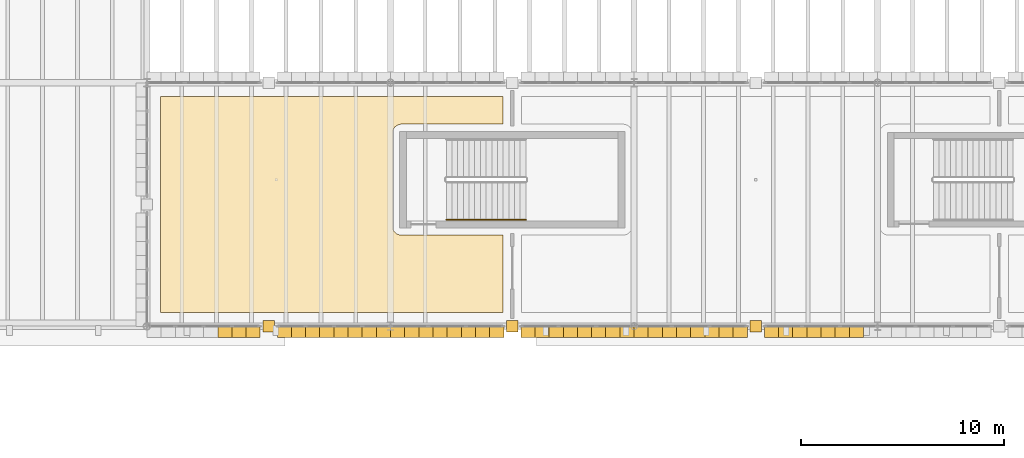
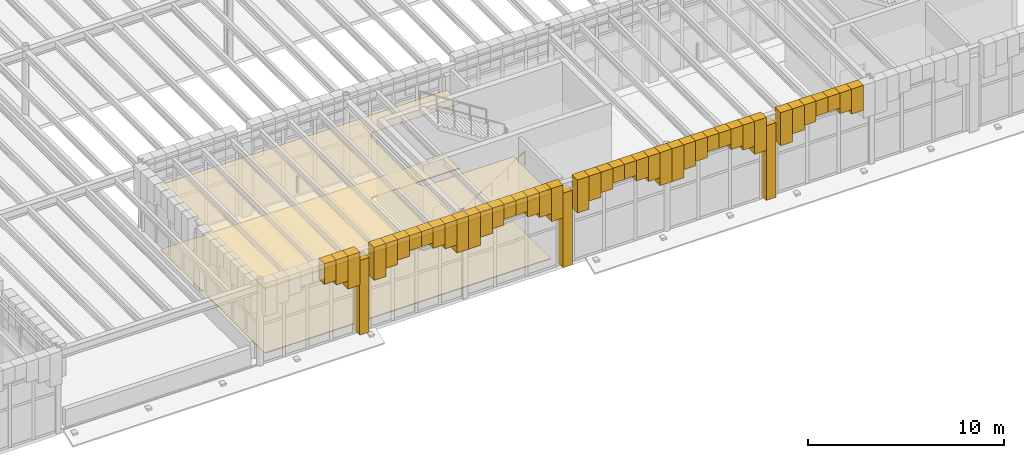
# One storey, part 83 of 100: 47 coverings, 1 railing.
"""IFC4 building model written with IfcOpenShell, lengths in metres."""

from ifc_helpers import new_model, si_unit, direction, frame, origin, origin_2d, place, context, subcontext, project, spatial, polyline, circle, outline, extrude, material, layer, layer_set, type_object, element, save


model = new_model("IFC4")

# Units and contexts
model_context = context("Model", 3, precision=1e-05, world=origin(), true_north=direction((0.0, 1.0)))
body_context = subcontext(model_context, "Body", "Model", "MODEL_VIEW")
ifc_project = project(units=[si_unit("LENGTHUNIT", "METRE"), si_unit("AREAUNIT", "SQUARE_METRE"), si_unit("VOLUMEUNIT", "CUBIC_METRE"), si_unit("PLANEANGLEUNIT", "RADIAN"), si_unit("MASSUNIT", "GRAM", prefix="KILO")], contexts=[model_context])

# Site, building, storey
site_placement = place(None, origin())
site = spatial("IfcSite", under=ifc_project, at=site_placement, CompositionType="ELEMENT")
building_placement = place(site_placement, origin())
building = spatial("IfcBuilding", under=site, at=building_placement, Name="Zlatogorsky Bluff Art Gallery", CompositionType="ELEMENT")
storey_placement = place(building_placement, frame((0.0, 0.0, 5.39990234375)))
storey = spatial("IfcBuildingStorey", under=building, at=storey_placement, Name="L01", CompositionType="ELEMENT", Elevation=5.39990234375)

# Coverings
ifc_material_1 = material(Name="Perforated Gypsum Acoustic Board", Category="gypsum")
ifc_layer_1 = layer(ifc_material_1, 0.0400390625)
ifc_layer_set_1 = layer_set([ifc_layer_1], Name="Acoustic Gallery Ceiling CLG-01")
covering_type_1 = type_object("IfcCoveringType", Name="Acoustic Gallery Ceiling CLG-01", PredefinedType="CEILING", material=ifc_layer_set_1)
covering_1_placement = place(storey_placement, frame((0.0, 0.0, 4.050048828125)))
element("IfcCovering", 1, at=covering_1_placement, inside=storey, type_object=covering_type_1, Name="Sculpture Terrace Gallery acoustic ceiling", PredefinedType="CEILING", context=body_context, shape_type="SweptSolid", body=[
    extrude(outline(polyline([(77.550048828125, 93.9599609375), (72.549072265625, 93.9599609375), (72.504638671875, 93.957763671875), (72.460693359375, 93.951416015625), (72.459716796875, 93.951171875), (72.450439453125, 93.94921875), (72.449462890625, 93.948974609375), (72.40625, 93.93701171875), (72.3642578125, 93.9208984375), (72.36328125, 93.92041015625), (72.362548828125, 93.919921875), (72.326904296875, 93.902099609375), (72.325927734375, 93.901611328125), (72.293701171875, 93.882080078125), (72.26318359375, 93.859619140625), (72.26171875, 93.8583984375), (72.224609375, 93.8251953125), (72.19140625, 93.7880859375), (72.190185546875, 93.78662109375), (72.16796875, 93.75634765625), (72.148193359375, 93.72412109375), (72.147705078125, 93.72314453125), (72.1298828125, 93.6875), (72.129150390625, 93.685791015625), (72.113037109375, 93.643798828125), (72.10107421875, 93.6005859375), (72.100830078125, 93.599609375), (72.098876953125, 93.59033203125), (72.0986328125, 93.58935546875), (72.09228515625, 93.54541015625), (72.090087890625, 93.5009765625), (72.090087890625, 88.948974609375), (72.09228515625, 88.90478515625), (72.0986328125, 88.860595703125), (72.098876953125, 88.859619140625), (72.100830078125, 88.850341796875), (72.10107421875, 88.849609375), (72.113037109375, 88.80615234375), (72.129150390625, 88.764404296875), (72.1298828125, 88.762451171875), (72.147705078125, 88.726806640625), (72.148193359375, 88.725830078125), (72.16796875, 88.693603515625), (72.190185546875, 88.663330078125), (72.19140625, 88.661865234375), (72.224609375, 88.624755859375), (72.26171875, 88.591552734375), (72.26318359375, 88.59033203125), (72.293701171875, 88.568115234375), (72.325927734375, 88.54833984375), (72.326904296875, 88.5478515625), (72.362548828125, 88.530029296875), (72.3642578125, 88.529296875), (72.40625, 88.512939453125), (72.449462890625, 88.501220703125), (72.450439453125, 88.5009765625), (72.459716796875, 88.498779296875), (72.460693359375, 88.498779296875), (72.504638671875, 88.4921875), (72.549072265625, 88.489990234375), (77.550048828125, 88.489990234375), (77.550048828125, 84.669921875), (60.669921875, 84.669921875), (60.669921875, 95.330078125), (77.550048828125, 95.330078125), (77.550048828125, 93.9599609375)])), origin(), (0.0, 0.0, 1.0), 0.0400390625),
])
ifc_material_2 = material(Name="Honed Red Agra-Tone Quartzitic Sandstone", Category="masonry")
ifc_layer_2 = layer(ifc_material_2, 0.1201171875)
ifc_layer_set_2 = layer_set([ifc_layer_2], Name="Carved Sandstone Cladding CLD-02")
covering_type_2 = type_object("IfcCoveringType", Name="Carved Sandstone Cladding CLD-02", PredefinedType="CLADDING", material=ifc_layer_set_2)
covering_2_placement = place(storey_placement, frame((0.0, 0.0, -0.02978515625)))
element("IfcCovering", 2, at=covering_2_placement, inside=storey, type_object=covering_type_2, Name="Mughal dalan central sandstone pier L01 S 5.8", PredefinedType="CLADDING", context=body_context, shape_type="SweptSolid", body=[
    extrude(outline(polyline([(65.719970703125, 83.719970703125), (66.280029296875, 83.719970703125), (66.280029296875, 84.280029296875), (65.719970703125, 84.280029296875), (65.719970703125, 83.719970703125)])), origin(), (0.0, 0.0, 1.0), 4.659912109375),
])
covering_3_placement = place(storey_placement, frame((0.0, 0.0, 4.076416015625)))
element("IfcCovering", 3, at=covering_3_placement, inside=storey, type_object=covering_type_2, Name="Pointed Mughal arch voussoir spandrel ARCH-CW-L01-S-05-08-A.6", PredefinedType="CLADDING", context=body_context, shape_type="SweptSolid", body=[
    extrude(outline(polyline([(63.487548828125, 83.4599609375), (64.18505859375, 83.4599609375), (64.18505859375, 84.030029296875), (63.487548828125, 84.030029296875), (63.487548828125, 83.4599609375)])), origin(), (0.0, 0.0, 1.0), 1.28369140625),
])
covering_4_placement = place(storey_placement, frame((0.0, 0.0, 3.7998046875)))
element("IfcCovering", 4, at=covering_4_placement, inside=storey, type_object=covering_type_2, Name="Pointed Mughal arch voussoir spandrel ARCH-CW-L01-S-05-08-A.7", PredefinedType="CLADDING", context=body_context, shape_type="SweptSolid", body=[
    extrude(outline(polyline([(64.18505859375, 83.4599609375), (64.882568359375, 83.4599609375), (64.882568359375, 84.030029296875), (64.18505859375, 84.030029296875), (64.18505859375, 83.4599609375)])), origin(), (0.0, 0.0, 1.0), 1.560302734375),
])
covering_5_placement = place(storey_placement, frame((0.0, 0.0, 3.2978515625)))
element("IfcCovering", 5, at=covering_5_placement, inside=storey, type_object=covering_type_2, Name="Pointed Mughal arch voussoir spandrel ARCH-CW-L01-S-05-08-A.8", PredefinedType="CLADDING", context=body_context, shape_type="SweptSolid", body=[
    extrude(outline(polyline([(64.882568359375, 83.4599609375), (65.580078125, 83.4599609375), (65.580078125, 84.030029296875), (64.882568359375, 84.030029296875), (64.882568359375, 83.4599609375)])), origin(), (0.0, 0.0, 1.0), 2.062255859375),
])
covering_6_placement = place(storey_placement, frame((0.0, 0.0, 3.2978515625)))
element("IfcCovering", 6, at=covering_6_placement, inside=storey, type_object=covering_type_2, Name="Pointed Mughal arch voussoir spandrel ARCH-CW-L01-S-05-08-B.1", PredefinedType="CLADDING", context=body_context, shape_type="SweptSolid", body=[
    extrude(outline(polyline([(66.419921875, 83.4599609375), (67.117431640625, 83.4599609375), (67.117431640625, 84.030029296875), (66.419921875, 84.030029296875), (66.419921875, 83.4599609375)])), origin(), (0.0, 0.0, 1.0), 2.062255859375),
])
covering_7_placement = place(storey_placement, frame((0.0, 0.0, 3.7998046875)))
element("IfcCovering", 7, at=covering_7_placement, inside=storey, type_object=covering_type_2, Name="Pointed Mughal arch voussoir spandrel ARCH-CW-L01-S-05-08-B.2", PredefinedType="CLADDING", context=body_context, shape_type="SweptSolid", body=[
    extrude(outline(polyline([(67.117431640625, 83.4599609375), (67.81494140625, 83.4599609375), (67.81494140625, 84.030029296875), (67.117431640625, 84.030029296875), (67.117431640625, 83.4599609375)])), origin(), (0.0, 0.0, 1.0), 1.560302734375),
])
covering_8_placement = place(storey_placement, frame((0.0, 0.0, 4.076416015625)))
element("IfcCovering", 8, at=covering_8_placement, inside=storey, type_object=covering_type_2, Name="Pointed Mughal arch voussoir spandrel ARCH-CW-L01-S-05-08-B.3", PredefinedType="CLADDING", context=body_context, shape_type="SweptSolid", body=[
    extrude(outline(polyline([(67.81494140625, 83.4599609375), (68.512451171875, 83.4599609375), (68.512451171875, 84.030029296875), (67.81494140625, 84.030029296875), (67.81494140625, 83.4599609375)])), origin(), (0.0, 0.0, 1.0), 1.28369140625),
])
covering_9_placement = place(storey_placement, frame((0.0, 0.0, 4.424560546875)))
element("IfcCovering", 9, at=covering_9_placement, inside=storey, type_object=covering_type_2, Name="Pointed Mughal arch voussoir spandrel ARCH-CW-L01-S-05-08-B.4", PredefinedType="CLADDING", context=body_context, shape_type="SweptSolid", body=[
    extrude(outline(polyline([(68.512451171875, 83.4599609375), (69.2099609375, 83.4599609375), (69.2099609375, 84.030029296875), (68.512451171875, 84.030029296875), (68.512451171875, 83.4599609375)])), origin(), (0.0, 0.0, 1.0), 0.935546875),
])
covering_10_placement = place(storey_placement, frame((0.0, 0.0, 4.424560546875)))
element("IfcCovering", 10, at=covering_10_placement, inside=storey, type_object=covering_type_2, Name="Pointed Mughal arch voussoir spandrel ARCH-CW-L01-S-05-08-B.5", PredefinedType="CLADDING", context=body_context, shape_type="SweptSolid", body=[
    extrude(outline(polyline([(69.2099609375, 83.4599609375), (69.907470703125, 83.4599609375), (69.907470703125, 84.030029296875), (69.2099609375, 84.030029296875), (69.2099609375, 83.4599609375)])), origin(), (0.0, 0.0, 1.0), 0.935546875),
])
covering_11_placement = place(storey_placement, frame((0.0, 0.0, 4.076416015625)))
element("IfcCovering", 11, at=covering_11_placement, inside=storey, type_object=covering_type_2, Name="Pointed Mughal arch voussoir spandrel ARCH-CW-L01-S-05-08-B.6", PredefinedType="CLADDING", context=body_context, shape_type="SweptSolid", body=[
    extrude(outline(polyline([(69.907470703125, 83.4599609375), (70.60498046875, 83.4599609375), (70.60498046875, 84.030029296875), (69.907470703125, 84.030029296875), (69.907470703125, 83.4599609375)])), origin(), (0.0, 0.0, 1.0), 1.28369140625),
])
covering_12_placement = place(storey_placement, frame((0.0, 0.0, 3.7998046875)))
element("IfcCovering", 12, at=covering_12_placement, inside=storey, type_object=covering_type_2, Name="Pointed Mughal arch voussoir spandrel ARCH-CW-L01-S-05-08-B.7", PredefinedType="CLADDING", context=body_context, shape_type="SweptSolid", body=[
    extrude(outline(polyline([(70.60498046875, 83.4599609375), (71.302490234375, 83.4599609375), (71.302490234375, 84.030029296875), (70.60498046875, 84.030029296875), (70.60498046875, 83.4599609375)])), origin(), (0.0, 0.0, 1.0), 1.560302734375),
])
covering_13_placement = place(storey_placement, frame((0.0, 0.0, 3.2978515625)))
element("IfcCovering", 13, at=covering_13_placement, inside=storey, type_object=covering_type_2, Name="Pointed Mughal arch voussoir spandrel ARCH-CW-L01-S-05-08-B.8", PredefinedType="CLADDING", context=body_context, shape_type="SweptSolid", body=[
    extrude(outline(polyline([(71.302490234375, 83.4599609375), (72.0, 83.4599609375), (72.0, 84.030029296875), (71.302490234375, 84.030029296875), (71.302490234375, 83.4599609375)])), origin(), (0.0, 0.0, 1.0), 2.062255859375),
])
covering_14_placement = place(storey_placement, frame((0.0, 0.0, -0.02978515625)))
element("IfcCovering", 14, at=covering_14_placement, inside=storey, type_object=covering_type_2, Name="Mughal dalan central sandstone pier L01 S 6.8", PredefinedType="CLADDING", context=body_context, shape_type="SweptSolid", body=[
    extrude(outline(polyline([(77.719970703125, 83.719970703125), (78.280029296875, 83.719970703125), (78.280029296875, 84.280029296875), (77.719970703125, 84.280029296875), (77.719970703125, 83.719970703125)])), origin(), (0.0, 0.0, 1.0), 4.659912109375),
])
covering_15_placement = place(storey_placement, frame((0.0, 0.0, 3.2978515625)))
element("IfcCovering", 15, at=covering_15_placement, inside=storey, type_object=covering_type_2, Name="Pointed Mughal arch voussoir spandrel ARCH-CW-L01-S-06-08-A.1", PredefinedType="CLADDING", context=body_context, shape_type="SweptSolid", body=[
    extrude(outline(polyline([(72.0, 83.4599609375), (72.697509765625, 83.4599609375), (72.697509765625, 84.030029296875), (72.0, 84.030029296875), (72.0, 83.4599609375)])), origin(), (0.0, 0.0, 1.0), 2.062255859375),
])
covering_16_placement = place(storey_placement, frame((0.0, 0.0, 3.7998046875)))
element("IfcCovering", 16, at=covering_16_placement, inside=storey, type_object=covering_type_2, Name="Pointed Mughal arch voussoir spandrel ARCH-CW-L01-S-06-08-A.2", PredefinedType="CLADDING", context=body_context, shape_type="SweptSolid", body=[
    extrude(outline(polyline([(72.697509765625, 83.4599609375), (73.39501953125, 83.4599609375), (73.39501953125, 84.030029296875), (72.697509765625, 84.030029296875), (72.697509765625, 83.4599609375)])), origin(), (0.0, 0.0, 1.0), 1.560302734375),
])
covering_17_placement = place(storey_placement, frame((0.0, 0.0, 4.076416015625)))
element("IfcCovering", 17, at=covering_17_placement, inside=storey, type_object=covering_type_2, Name="Pointed Mughal arch voussoir spandrel ARCH-CW-L01-S-06-08-A.3", PredefinedType="CLADDING", context=body_context, shape_type="SweptSolid", body=[
    extrude(outline(polyline([(73.39501953125, 83.4599609375), (74.092529296875, 83.4599609375), (74.092529296875, 84.030029296875), (73.39501953125, 84.030029296875), (73.39501953125, 83.4599609375)])), origin(), (0.0, 0.0, 1.0), 1.28369140625),
])
covering_18_placement = place(storey_placement, frame((0.0, 0.0, 4.424560546875)))
element("IfcCovering", 18, at=covering_18_placement, inside=storey, type_object=covering_type_2, Name="Pointed Mughal arch voussoir spandrel ARCH-CW-L01-S-06-08-A.4", PredefinedType="CLADDING", context=body_context, shape_type="SweptSolid", body=[
    extrude(outline(polyline([(74.092529296875, 83.4599609375), (74.7900390625, 83.4599609375), (74.7900390625, 84.030029296875), (74.092529296875, 84.030029296875), (74.092529296875, 83.4599609375)])), origin(), (0.0, 0.0, 1.0), 0.935546875),
])
covering_19_placement = place(storey_placement, frame((0.0, 0.0, 4.424560546875)))
element("IfcCovering", 19, at=covering_19_placement, inside=storey, type_object=covering_type_2, Name="Pointed Mughal arch voussoir spandrel ARCH-CW-L01-S-06-08-A.5", PredefinedType="CLADDING", context=body_context, shape_type="SweptSolid", body=[
    extrude(outline(polyline([(74.7900390625, 83.4599609375), (75.487548828125, 83.4599609375), (75.487548828125, 84.030029296875), (74.7900390625, 84.030029296875), (74.7900390625, 83.4599609375)])), origin(), (0.0, 0.0, 1.0), 0.935546875),
])
covering_20_placement = place(storey_placement, frame((0.0, 0.0, 4.076416015625)))
element("IfcCovering", 20, at=covering_20_placement, inside=storey, type_object=covering_type_2, Name="Pointed Mughal arch voussoir spandrel ARCH-CW-L01-S-06-08-A.6", PredefinedType="CLADDING", context=body_context, shape_type="SweptSolid", body=[
    extrude(outline(polyline([(75.487548828125, 83.4599609375), (76.18505859375, 83.4599609375), (76.18505859375, 84.030029296875), (75.487548828125, 84.030029296875), (75.487548828125, 83.4599609375)])), origin(), (0.0, 0.0, 1.0), 1.28369140625),
])
covering_21_placement = place(storey_placement, frame((0.0, 0.0, 3.7998046875)))
element("IfcCovering", 21, at=covering_21_placement, inside=storey, type_object=covering_type_2, Name="Pointed Mughal arch voussoir spandrel ARCH-CW-L01-S-06-08-A.7", PredefinedType="CLADDING", context=body_context, shape_type="SweptSolid", body=[
    extrude(outline(polyline([(76.18505859375, 83.4599609375), (76.882568359375, 83.4599609375), (76.882568359375, 84.030029296875), (76.18505859375, 84.030029296875), (76.18505859375, 83.4599609375)])), origin(), (0.0, 0.0, 1.0), 1.560302734375),
])
covering_22_placement = place(storey_placement, frame((0.0, 0.0, 3.2978515625)))
element("IfcCovering", 22, at=covering_22_placement, inside=storey, type_object=covering_type_2, Name="Pointed Mughal arch voussoir spandrel ARCH-CW-L01-S-06-08-A.8", PredefinedType="CLADDING", context=body_context, shape_type="SweptSolid", body=[
    extrude(outline(polyline([(76.882568359375, 83.4599609375), (77.580078125, 83.4599609375), (77.580078125, 84.030029296875), (76.882568359375, 84.030029296875), (76.882568359375, 83.4599609375)])), origin(), (0.0, 0.0, 1.0), 2.062255859375),
])
covering_23_placement = place(storey_placement, frame((0.0, 0.0, 3.2978515625)))
element("IfcCovering", 23, at=covering_23_placement, inside=storey, type_object=covering_type_2, Name="Pointed Mughal arch voussoir spandrel ARCH-CW-L01-S-06-08-B.1", PredefinedType="CLADDING", context=body_context, shape_type="SweptSolid", body=[
    extrude(outline(polyline([(78.419921875, 83.4599609375), (79.117431640625, 83.4599609375), (79.117431640625, 84.030029296875), (78.419921875, 84.030029296875), (78.419921875, 83.4599609375)])), origin(), (0.0, 0.0, 1.0), 2.062255859375),
])
covering_24_placement = place(storey_placement, frame((0.0, 0.0, 3.7998046875)))
element("IfcCovering", 24, at=covering_24_placement, inside=storey, type_object=covering_type_2, Name="Pointed Mughal arch voussoir spandrel ARCH-CW-L01-S-06-08-B.2", PredefinedType="CLADDING", context=body_context, shape_type="SweptSolid", body=[
    extrude(outline(polyline([(79.117431640625, 83.4599609375), (79.81494140625, 83.4599609375), (79.81494140625, 84.030029296875), (79.117431640625, 84.030029296875), (79.117431640625, 83.4599609375)])), origin(), (0.0, 0.0, 1.0), 1.560302734375),
])
covering_25_placement = place(storey_placement, frame((0.0, 0.0, 4.076416015625)))
element("IfcCovering", 25, at=covering_25_placement, inside=storey, type_object=covering_type_2, Name="Pointed Mughal arch voussoir spandrel ARCH-CW-L01-S-06-08-B.3", PredefinedType="CLADDING", context=body_context, shape_type="SweptSolid", body=[
    extrude(outline(polyline([(79.81494140625, 83.4599609375), (80.512451171875, 83.4599609375), (80.512451171875, 84.030029296875), (79.81494140625, 84.030029296875), (79.81494140625, 83.4599609375)])), origin(), (0.0, 0.0, 1.0), 1.28369140625),
])
covering_26_placement = place(storey_placement, frame((0.0, 0.0, 4.424560546875)))
element("IfcCovering", 26, at=covering_26_placement, inside=storey, type_object=covering_type_2, Name="Pointed Mughal arch voussoir spandrel ARCH-CW-L01-S-06-08-B.4", PredefinedType="CLADDING", context=body_context, shape_type="SweptSolid", body=[
    extrude(outline(polyline([(80.512451171875, 83.4599609375), (81.2099609375, 83.4599609375), (81.2099609375, 84.030029296875), (80.512451171875, 84.030029296875), (80.512451171875, 83.4599609375)])), origin(), (0.0, 0.0, 1.0), 0.935546875),
])
covering_27_placement = place(storey_placement, frame((0.0, 0.0, 4.424560546875)))
element("IfcCovering", 27, at=covering_27_placement, inside=storey, type_object=covering_type_2, Name="Pointed Mughal arch voussoir spandrel ARCH-CW-L01-S-06-08-B.5", PredefinedType="CLADDING", context=body_context, shape_type="SweptSolid", body=[
    extrude(outline(polyline([(81.2099609375, 83.4599609375), (81.907470703125, 83.4599609375), (81.907470703125, 84.030029296875), (81.2099609375, 84.030029296875), (81.2099609375, 83.4599609375)])), origin(), (0.0, 0.0, 1.0), 0.935546875),
])
covering_28_placement = place(storey_placement, frame((0.0, 0.0, 4.076416015625)))
element("IfcCovering", 28, at=covering_28_placement, inside=storey, type_object=covering_type_2, Name="Pointed Mughal arch voussoir spandrel ARCH-CW-L01-S-06-08-B.6", PredefinedType="CLADDING", context=body_context, shape_type="SweptSolid", body=[
    extrude(outline(polyline([(81.907470703125, 83.4599609375), (82.60498046875, 83.4599609375), (82.60498046875, 84.030029296875), (81.907470703125, 84.030029296875), (81.907470703125, 83.4599609375)])), origin(), (0.0, 0.0, 1.0), 1.28369140625),
])
covering_29_placement = place(storey_placement, frame((0.0, 0.0, 3.7998046875)))
element("IfcCovering", 29, at=covering_29_placement, inside=storey, type_object=covering_type_2, Name="Pointed Mughal arch voussoir spandrel ARCH-CW-L01-S-06-08-B.7", PredefinedType="CLADDING", context=body_context, shape_type="SweptSolid", body=[
    extrude(outline(polyline([(82.60498046875, 83.4599609375), (83.302490234375, 83.4599609375), (83.302490234375, 84.030029296875), (82.60498046875, 84.030029296875), (82.60498046875, 83.4599609375)])), origin(), (0.0, 0.0, 1.0), 1.560302734375),
])
covering_30_placement = place(storey_placement, frame((0.0, 0.0, 3.2978515625)))
element("IfcCovering", 30, at=covering_30_placement, inside=storey, type_object=covering_type_2, Name="Pointed Mughal arch voussoir spandrel ARCH-CW-L01-S-06-08-B.8", PredefinedType="CLADDING", context=body_context, shape_type="SweptSolid", body=[
    extrude(outline(polyline([(83.302490234375, 83.4599609375), (84.0, 83.4599609375), (84.0, 84.030029296875), (83.302490234375, 84.030029296875), (83.302490234375, 83.4599609375)])), origin(), (0.0, 0.0, 1.0), 2.062255859375),
])
covering_31_placement = place(storey_placement, frame((0.0, 0.0, -0.02978515625)))
element("IfcCovering", 31, at=covering_31_placement, inside=storey, type_object=covering_type_2, Name="Mughal dalan central sandstone pier L01 S 7.8", PredefinedType="CLADDING", context=body_context, shape_type="SweptSolid", body=[
    extrude(outline(polyline([(89.719970703125, 83.719970703125), (90.280029296875, 83.719970703125), (90.280029296875, 84.280029296875), (89.719970703125, 84.280029296875), (89.719970703125, 83.719970703125)])), origin(), (0.0, 0.0, 1.0), 4.659912109375),
])
covering_32_placement = place(storey_placement, frame((0.0, 0.0, 3.2978515625)))
element("IfcCovering", 32, at=covering_32_placement, inside=storey, type_object=covering_type_2, Name="Pointed Mughal arch voussoir spandrel ARCH-CW-L01-S-07-08-A.1", PredefinedType="CLADDING", context=body_context, shape_type="SweptSolid", body=[
    extrude(outline(polyline([(84.0, 83.4599609375), (84.697509765625, 83.4599609375), (84.697509765625, 84.030029296875), (84.0, 84.030029296875), (84.0, 83.4599609375)])), origin(), (0.0, 0.0, 1.0), 2.062255859375),
])
covering_33_placement = place(storey_placement, frame((0.0, 0.0, 3.7998046875)))
element("IfcCovering", 33, at=covering_33_placement, inside=storey, type_object=covering_type_2, Name="Pointed Mughal arch voussoir spandrel ARCH-CW-L01-S-07-08-A.2", PredefinedType="CLADDING", context=body_context, shape_type="SweptSolid", body=[
    extrude(outline(polyline([(84.697509765625, 83.4599609375), (85.39501953125, 83.4599609375), (85.39501953125, 84.030029296875), (84.697509765625, 84.030029296875), (84.697509765625, 83.4599609375)])), origin(), (0.0, 0.0, 1.0), 1.560302734375),
])
covering_34_placement = place(storey_placement, frame((0.0, 0.0, 4.076416015625)))
element("IfcCovering", 34, at=covering_34_placement, inside=storey, type_object=covering_type_2, Name="Pointed Mughal arch voussoir spandrel ARCH-CW-L01-S-07-08-A.3", PredefinedType="CLADDING", context=body_context, shape_type="SweptSolid", body=[
    extrude(outline(polyline([(85.39501953125, 83.4599609375), (86.092529296875, 83.4599609375), (86.092529296875, 84.030029296875), (85.39501953125, 84.030029296875), (85.39501953125, 83.4599609375)])), origin(), (0.0, 0.0, 1.0), 1.28369140625),
])
covering_35_placement = place(storey_placement, frame((0.0, 0.0, 4.424560546875)))
element("IfcCovering", 35, at=covering_35_placement, inside=storey, type_object=covering_type_2, Name="Pointed Mughal arch voussoir spandrel ARCH-CW-L01-S-07-08-A.4", PredefinedType="CLADDING", context=body_context, shape_type="SweptSolid", body=[
    extrude(outline(polyline([(86.092529296875, 83.4599609375), (86.7900390625, 83.4599609375), (86.7900390625, 84.030029296875), (86.092529296875, 84.030029296875), (86.092529296875, 83.4599609375)])), origin(), (0.0, 0.0, 1.0), 0.935546875),
])
covering_36_placement = place(storey_placement, frame((0.0, 0.0, 4.424560546875)))
element("IfcCovering", 36, at=covering_36_placement, inside=storey, type_object=covering_type_2, Name="Pointed Mughal arch voussoir spandrel ARCH-CW-L01-S-07-08-A.5", PredefinedType="CLADDING", context=body_context, shape_type="SweptSolid", body=[
    extrude(outline(polyline([(86.7900390625, 83.4599609375), (87.487548828125, 83.4599609375), (87.487548828125, 84.030029296875), (86.7900390625, 84.030029296875), (86.7900390625, 83.4599609375)])), origin(), (0.0, 0.0, 1.0), 0.935546875),
])
covering_37_placement = place(storey_placement, frame((0.0, 0.0, 4.076416015625)))
element("IfcCovering", 37, at=covering_37_placement, inside=storey, type_object=covering_type_2, Name="Pointed Mughal arch voussoir spandrel ARCH-CW-L01-S-07-08-A.6", PredefinedType="CLADDING", context=body_context, shape_type="SweptSolid", body=[
    extrude(outline(polyline([(87.487548828125, 83.4599609375), (88.18505859375, 83.4599609375), (88.18505859375, 84.030029296875), (87.487548828125, 84.030029296875), (87.487548828125, 83.4599609375)])), origin(), (0.0, 0.0, 1.0), 1.28369140625),
])
covering_38_placement = place(storey_placement, frame((0.0, 0.0, 3.7998046875)))
element("IfcCovering", 38, at=covering_38_placement, inside=storey, type_object=covering_type_2, Name="Pointed Mughal arch voussoir spandrel ARCH-CW-L01-S-07-08-A.7", PredefinedType="CLADDING", context=body_context, shape_type="SweptSolid", body=[
    extrude(outline(polyline([(88.18505859375, 83.4599609375), (88.882568359375, 83.4599609375), (88.882568359375, 84.030029296875), (88.18505859375, 84.030029296875), (88.18505859375, 83.4599609375)])), origin(), (0.0, 0.0, 1.0), 1.560302734375),
])
covering_39_placement = place(storey_placement, frame((0.0, 0.0, 3.2978515625)))
element("IfcCovering", 39, at=covering_39_placement, inside=storey, type_object=covering_type_2, Name="Pointed Mughal arch voussoir spandrel ARCH-CW-L01-S-07-08-A.8", PredefinedType="CLADDING", context=body_context, shape_type="SweptSolid", body=[
    extrude(outline(polyline([(88.882568359375, 83.4599609375), (89.580078125, 83.4599609375), (89.580078125, 84.030029296875), (88.882568359375, 84.030029296875), (88.882568359375, 83.4599609375)])), origin(), (0.0, 0.0, 1.0), 2.062255859375),
])
covering_40_placement = place(storey_placement, frame((0.0, 0.0, 3.2978515625)))
element("IfcCovering", 40, at=covering_40_placement, inside=storey, type_object=covering_type_2, Name="Pointed Mughal arch voussoir spandrel ARCH-CW-L01-S-07-08-B.1", PredefinedType="CLADDING", context=body_context, shape_type="SweptSolid", body=[
    extrude(outline(polyline([(90.419921875, 83.4599609375), (91.117431640625, 83.4599609375), (91.117431640625, 84.030029296875), (90.419921875, 84.030029296875), (90.419921875, 83.4599609375)])), origin(), (0.0, 0.0, 1.0), 2.062255859375),
])
covering_41_placement = place(storey_placement, frame((0.0, 0.0, 3.7998046875)))
element("IfcCovering", 41, at=covering_41_placement, inside=storey, type_object=covering_type_2, Name="Pointed Mughal arch voussoir spandrel ARCH-CW-L01-S-07-08-B.2", PredefinedType="CLADDING", context=body_context, shape_type="SweptSolid", body=[
    extrude(outline(polyline([(91.117431640625, 83.4599609375), (91.81494140625, 83.4599609375), (91.81494140625, 84.030029296875), (91.117431640625, 84.030029296875), (91.117431640625, 83.4599609375)])), origin(), (0.0, 0.0, 1.0), 1.560302734375),
])
covering_42_placement = place(storey_placement, frame((0.0, 0.0, 4.076416015625)))
element("IfcCovering", 42, at=covering_42_placement, inside=storey, type_object=covering_type_2, Name="Pointed Mughal arch voussoir spandrel ARCH-CW-L01-S-07-08-B.3", PredefinedType="CLADDING", context=body_context, shape_type="SweptSolid", body=[
    extrude(outline(polyline([(91.81494140625, 83.4599609375), (92.512451171875, 83.4599609375), (92.512451171875, 84.030029296875), (91.81494140625, 84.030029296875), (91.81494140625, 83.4599609375)])), origin(), (0.0, 0.0, 1.0), 1.28369140625),
])
covering_43_placement = place(storey_placement, frame((0.0, 0.0, 4.424560546875)))
element("IfcCovering", 43, at=covering_43_placement, inside=storey, type_object=covering_type_2, Name="Pointed Mughal arch voussoir spandrel ARCH-CW-L01-S-07-08-B.4", PredefinedType="CLADDING", context=body_context, shape_type="SweptSolid", body=[
    extrude(outline(polyline([(92.512451171875, 83.4599609375), (93.2099609375, 83.4599609375), (93.2099609375, 84.030029296875), (92.512451171875, 84.030029296875), (92.512451171875, 83.4599609375)])), origin(), (0.0, 0.0, 1.0), 0.935546875),
])
covering_44_placement = place(storey_placement, frame((0.0, 0.0, 4.424560546875)))
element("IfcCovering", 44, at=covering_44_placement, inside=storey, type_object=covering_type_2, Name="Pointed Mughal arch voussoir spandrel ARCH-CW-L01-S-07-08-B.5", PredefinedType="CLADDING", context=body_context, shape_type="SweptSolid", body=[
    extrude(outline(polyline([(93.2099609375, 83.4599609375), (93.907470703125, 83.4599609375), (93.907470703125, 84.030029296875), (93.2099609375, 84.030029296875), (93.2099609375, 83.4599609375)])), origin(), (0.0, 0.0, 1.0), 0.935546875),
])
covering_45_placement = place(storey_placement, frame((0.0, 0.0, 4.076416015625)))
element("IfcCovering", 45, at=covering_45_placement, inside=storey, type_object=covering_type_2, Name="Pointed Mughal arch voussoir spandrel ARCH-CW-L01-S-07-08-B.6", PredefinedType="CLADDING", context=body_context, shape_type="SweptSolid", body=[
    extrude(outline(polyline([(93.907470703125, 83.4599609375), (94.60498046875, 83.4599609375), (94.60498046875, 84.030029296875), (93.907470703125, 84.030029296875), (93.907470703125, 83.4599609375)])), origin(), (0.0, 0.0, 1.0), 1.28369140625),
])
covering_46_placement = place(storey_placement, frame((0.0, 0.0, 3.7998046875)))
element("IfcCovering", 46, at=covering_46_placement, inside=storey, type_object=covering_type_2, Name="Pointed Mughal arch voussoir spandrel ARCH-CW-L01-S-07-08-B.7", PredefinedType="CLADDING", context=body_context, shape_type="SweptSolid", body=[
    extrude(outline(polyline([(94.60498046875, 83.4599609375), (95.302490234375, 83.4599609375), (95.302490234375, 84.030029296875), (94.60498046875, 84.030029296875), (94.60498046875, 83.4599609375)])), origin(), (0.0, 0.0, 1.0), 1.560302734375),
])

# Railing
ifc_material_3 = material(Name="Brushed Stainless Steel", Category="steel")
railing_type = type_object("IfcRailingType", Name="Stair Pitch Handrail 900mm", PredefinedType="HANDRAIL", material=ifc_material_3)
railing_placement = place(storey_placement, frame((74.75, 89.25, 0.18017578125)))
element("IfcRailing", 47, at=railing_placement, inside=storey, type_object=railing_type, Name="L01 ST-08 stair handrail 1", PredefinedType="HANDRAIL", context=body_context, shape_type="SweptSolid", body=[
    extrude(circle(Radius=0.02392578125, at=origin_2d()), frame((0.0, 0.0, 0.8759765625), z_axis=(0.841171666519, 0.0, 0.540768182723), x_axis=(0.0, 1.0, 0.0)), (0.0, 0.0, 1.0), 4.66015625),
    extrude(circle(Radius=0.02099609375, at=origin_2d()), origin(), (0.0, 0.0, 1.0), 0.851806640625),
    extrude(circle(Radius=0.02099609375, at=origin_2d()), frame((0.97998046875, 0.0, 0.6298828125)), (0.0, 0.0, 1.0), 0.851806640625),
    extrude(circle(Radius=0.02099609375, at=origin_2d()), frame((1.9599609375, 0.0, 1.260009765625)), (0.0, 0.0, 1.0), 0.851806640625),
    extrude(circle(Radius=0.02099609375, at=origin_2d()), frame((2.93994140625, 0.0, 1.89013671875)), (0.0, 0.0, 1.0), 0.851806640625),
    extrude(circle(Radius=0.02099609375, at=origin_2d()), frame((3.919921875, 0.0, 2.52001953125)), (0.0, 0.0, 1.0), 0.851806640625),
])

# Covering
ifc_material_4 = material(Name="Polished Ural Marble Terrazzo", Category="masonry")
ifc_layer_3 = layer(ifc_material_4, 0.050048828125)
ifc_layer_set_3 = layer_set([ifc_layer_3], Name="Terrazzo Gallery Flooring FLR-01")
covering_type_3 = type_object("IfcCoveringType", Name="Terrazzo Gallery Flooring FLR-01", PredefinedType="FLOORING", material=ifc_layer_set_3)
covering_47_placement = place(storey_placement, origin())
element("IfcCovering", 48, at=covering_47_placement, inside=storey, type_object=covering_type_3, Name="Sculpture Terrace Gallery terrazzo floor finish", PredefinedType="FLOORING", context=body_context, shape_type="SweptSolid", body=[
    extrude(outline(polyline([(77.550048828125, 93.9599609375), (72.549072265625, 93.9599609375), (72.504638671875, 93.957763671875), (72.460693359375, 93.951416015625), (72.459716796875, 93.951171875), (72.450439453125, 93.94921875), (72.449462890625, 93.948974609375), (72.40625, 93.93701171875), (72.3642578125, 93.9208984375), (72.36328125, 93.92041015625), (72.362548828125, 93.919921875), (72.326904296875, 93.902099609375), (72.325927734375, 93.901611328125), (72.293701171875, 93.882080078125), (72.26318359375, 93.859619140625), (72.26171875, 93.8583984375), (72.224609375, 93.8251953125), (72.19140625, 93.7880859375), (72.190185546875, 93.78662109375), (72.16796875, 93.75634765625), (72.148193359375, 93.72412109375), (72.147705078125, 93.72314453125), (72.1298828125, 93.6875), (72.129150390625, 93.685791015625), (72.113037109375, 93.643798828125), (72.10107421875, 93.6005859375), (72.100830078125, 93.599609375), (72.098876953125, 93.59033203125), (72.0986328125, 93.58935546875), (72.09228515625, 93.54541015625), (72.090087890625, 93.5009765625), (72.090087890625, 88.948974609375), (72.09228515625, 88.90478515625), (72.0986328125, 88.860595703125), (72.098876953125, 88.859619140625), (72.100830078125, 88.850341796875), (72.10107421875, 88.849609375), (72.113037109375, 88.80615234375), (72.129150390625, 88.764404296875), (72.1298828125, 88.762451171875), (72.147705078125, 88.726806640625), (72.148193359375, 88.725830078125), (72.16796875, 88.693603515625), (72.190185546875, 88.663330078125), (72.19140625, 88.661865234375), (72.224609375, 88.624755859375), (72.26171875, 88.591552734375), (72.26318359375, 88.59033203125), (72.293701171875, 88.568115234375), (72.325927734375, 88.54833984375), (72.326904296875, 88.5478515625), (72.362548828125, 88.530029296875), (72.3642578125, 88.529296875), (72.40625, 88.512939453125), (72.449462890625, 88.501220703125), (72.450439453125, 88.5009765625), (72.459716796875, 88.498779296875), (72.460693359375, 88.498779296875), (72.504638671875, 88.4921875), (72.549072265625, 88.489990234375), (77.550048828125, 88.489990234375), (77.550048828125, 84.669921875), (60.669921875, 84.669921875), (60.669921875, 95.330078125), (77.550048828125, 95.330078125), (77.550048828125, 93.9599609375)])), origin(), (0.0, 0.0, 1.0), 0.050048828125),
])

save(model, "model.ifc")
